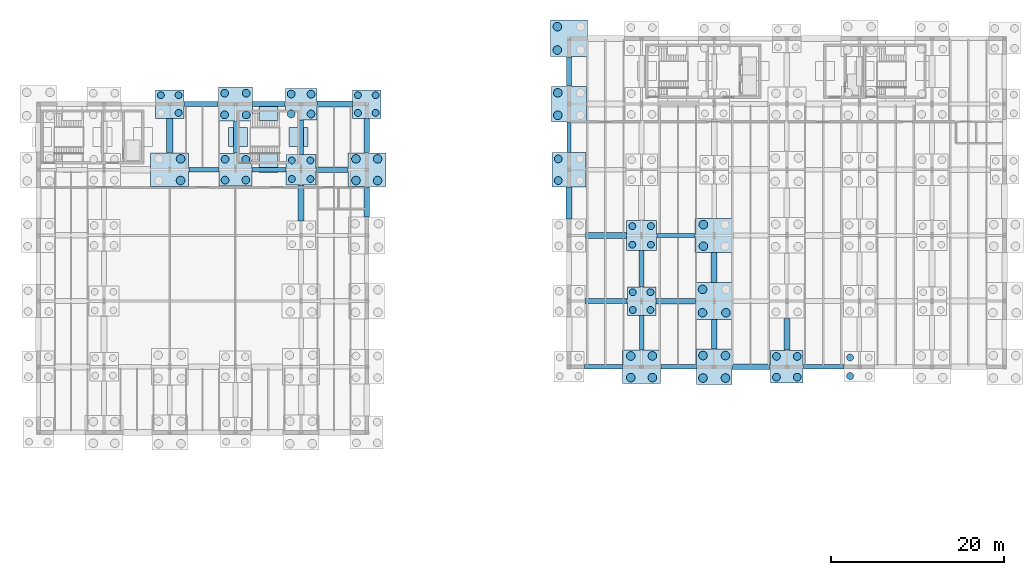
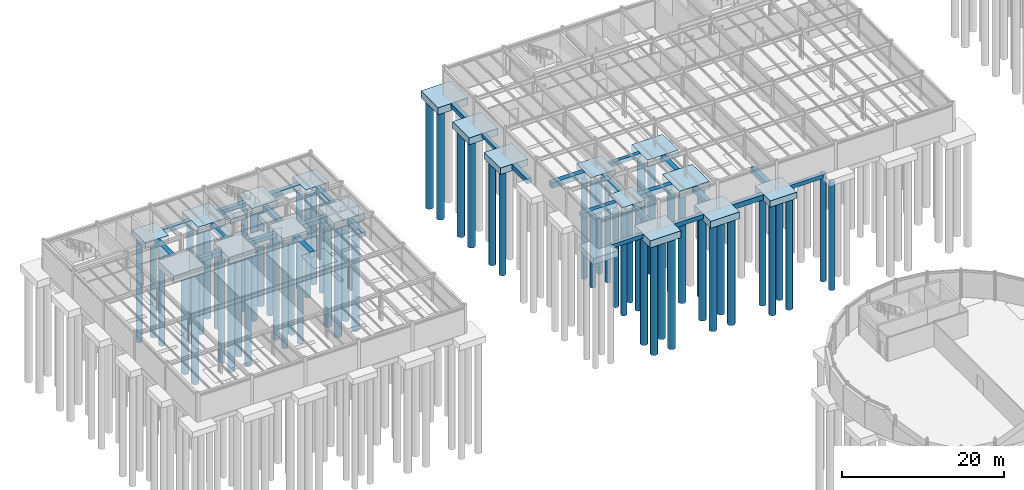
# One storey, part 3 of 33: 62 piles, 50 footings.
"""IFC4 building model written with IfcOpenShell, lengths in metres."""

import ifcopenshell
import ifcopenshell.guid

model = None  # the IFC model being written
_history = None  # IfcOwnerHistory: only IFC2X3 demands one
_inside = {}  # id of a spatial element -> (the spatial element, [elements in it])
_under = {}  # id of a project, library or spatial element -> (it, [spatial elements below it])
_declared = {}  # id of a project -> (the project, [libraries it declares])
_typed = {}  # id of a type object -> (the type object, [elements of that type])
_made_of = {}  # id of a material, layer set ... -> (it, [elements and type objects made of it])


def new_model(schema):
    """Start an empty IFC model of exactly this schema.

    Asked for "IFC4X3", IfcOpenShell would pick the latest addendum, in which some entities
    have other attributes; the version numbers below select the first issue.
    IFC2X3 requires an IfcOwnerHistory on every rooted entity: one is made here for all.
    """
    global model, _history
    if schema == "IFC4X3":
        model = ifcopenshell.file(schema_version=(4, 3, 0, 0))
    else:
        model = ifcopenshell.file(schema=schema)
    _inside.clear()
    _under.clear()
    _declared.clear()
    _typed.clear()
    _made_of.clear()
    _history = None
    if model.schema == "IFC2X3":
        org = make("IfcOrganization", Name="unknown")
        user = make(
            "IfcPersonAndOrganization",
            ThePerson=make("IfcPerson", FamilyName="unknown"),
            TheOrganization=org,
        )
        app = make(
            "IfcApplication",
            ApplicationDeveloper=org,
            Version="unknown",
            ApplicationFullName="unknown",
            ApplicationIdentifier="unknown",
        )
        _history = make(
            "IfcOwnerHistory",
            OwningUser=user,
            OwningApplication=app,
            ChangeAction="ADDED",
            CreationDate=0,
        )
    return model


def make(cls, **values):
    """One entity of the class cls with the attributes given. An attribute that is None is left unset."""
    return model.create_entity(
        cls, **{name: value for name, value in values.items() if value is not None}
    )


def rooted(cls, **values):
    """An entity with a GlobalId (a new one), such as an element, a storey or a relation."""
    return make(cls, GlobalId=ifcopenshell.guid.new(), OwnerHistory=_history, **values)


def si_unit(unit_type, name, prefix=None):
    """IfcSIUnit, for example si_unit("LENGTHUNIT", "METRE", prefix="MILLI")."""
    return make("IfcSIUnit", UnitType=unit_type, Prefix=prefix, Name=name)


def assignment(units):
    """IfcUnitAssignment: the units of a project."""
    return None if units is None else make("IfcUnitAssignment", Units=units)


def point(xyz):
    """IfcCartesianPoint."""
    return None if xyz is None else make("IfcCartesianPoint", Coordinates=xyz)


def direction(xyz):
    """IfcDirection."""
    return None if xyz is None else make("IfcDirection", DirectionRatios=xyz)


def frame(location, z_axis=None, x_axis=None):
    """IfcAxis2Placement3D, a coordinate frame: its origin and axes. An axis left out is left unset."""
    return make(
        "IfcAxis2Placement3D",
        Location=point(location),
        Axis=direction(z_axis),
        RefDirection=direction(x_axis),
    )


def frame_2d(location, x_axis=None):
    """IfcAxis2Placement2D, a coordinate frame in the plane: its origin and x axis."""
    return make(
        "IfcAxis2Placement2D", Location=point(location), RefDirection=direction(x_axis)
    )


def origin():
    """The frame at (0, 0, 0) with its axes left unset."""
    return frame((0.0, 0.0, 0.0))


def origin_2d():
    """The frame at (0, 0) in the plane with its x axis left unset."""
    return frame_2d((0.0, 0.0))


def place(relative_to, where):
    """IfcLocalPlacement: puts the frame where relative to a parent placement (None: the world)."""
    return make(
        "IfcLocalPlacement", PlacementRelTo=relative_to, RelativePlacement=where
    )


def context(
    kind, dimensions, precision=None, world=None, true_north=None, identifier=None
):
    """IfcGeometricRepresentationContext, for example the 3D "Model" context."""
    return make(
        "IfcGeometricRepresentationContext",
        ContextIdentifier=identifier,
        ContextType=kind,
        CoordinateSpaceDimension=dimensions,
        Precision=precision,
        WorldCoordinateSystem=world,
        TrueNorth=true_north,
    )


def subcontext(parent, identifier, kind, view, scale=None):
    """IfcGeometricRepresentationSubContext, for example "Body" below "Model"."""
    return make(
        "IfcGeometricRepresentationSubContext",
        ContextIdentifier=identifier,
        ContextType=kind,
        ParentContext=parent,
        TargetScale=scale,
        TargetView=view,
    )


def project(units=None, contexts=None):
    """IfcProject with its units and contexts."""
    return rooted(
        "IfcProject",
        Name="project",
        RepresentationContexts=contexts,
        UnitsInContext=assignment(units),
    )


def spatial(cls, under=None, at=None, **own):
    """A site, building, storey or space (cls), placed at a placement, below another one or the project."""
    s = rooted(cls, ObjectPlacement=at, **own)
    if under is not None:
        _under.setdefault(under.id(), (under, []))[1].append(s)
    return s


def profile(cls, at=None, kind="AREA", **sizes):
    """A parametric profile (cls). Its sizes go by their IFC names, for example OverallWidth=200.0."""
    return make(cls, ProfileType=kind, Position=at, **sizes)


def rectangle(**sizes):
    """IfcRectangleProfileDef."""
    return profile("IfcRectangleProfileDef", **sizes)


def circle(**sizes):
    """IfcCircleProfileDef."""
    return profile("IfcCircleProfileDef", **sizes)


def extrude(swept, where, along, depth):
    """IfcExtrudedAreaSolid: the profile swept, set in the frame where, extruded along a direction by depth."""
    return make(
        "IfcExtrudedAreaSolid",
        SweptArea=swept,
        Position=where,
        ExtrudedDirection=direction(along),
        Depth=depth,
    )


def shape(context_of_items, identifier, shape_type, items):
    """IfcShapeRepresentation: the items that make up one representation, for example the "Body"."""
    return make(
        "IfcShapeRepresentation",
        ContextOfItems=context_of_items,
        RepresentationIdentifier=identifier,
        RepresentationType=shape_type,
        Items=items,
    )


def material(Name=None, Category=None):
    """IfcMaterial."""
    return make("IfcMaterial", Name=Name, Category=Category)


def material_profile(
    of_material, cross_section, Name=None, Category=None, Priority=None
):
    """IfcMaterialProfile: a cross section and its material."""
    return make(
        "IfcMaterialProfile",
        Name=Name,
        Material=of_material,
        Profile=cross_section,
        Priority=Priority,
        Category=Category,
    )


def profile_set(profiles, Name=None, composite=None):
    """IfcMaterialProfileSet."""
    return make(
        "IfcMaterialProfileSet",
        Name=Name,
        MaterialProfiles=profiles,
        CompositeProfile=composite,
    )


def made_of(thing, what):
    """Note that an element or type object is made of a material, layer set ...; save() writes the relation."""
    if what is not None:
        _made_of.setdefault(what.id(), (what, []))[1].append(thing)
    return thing


def type_object(cls, material=None, **own):
    """A type object (cls), such as IfcWallType, which elements share."""
    return made_of(rooted(cls, **own), material)


def element(
    cls,
    number,
    at=None,
    inside=None,
    cuts=None,
    type_object=None,
    material=None,
    context=None,
    identifier="Body",
    shape_type=None,
    held_by="IfcProductDefinitionShape",
    body=None,
    shapes=None,
    **own,
):
    """One element of the class cls, such as IfcWall. Its Tag is "e" and its number.

    at: its placement. inside: the storey or other place that contains it. cuts: it is an
    opening in that element (IfcRelVoidsElement). A single representation is given by context,
    identifier, shape_type and body (its items); several are given by shapes. held_by: the class
    of the entity that holds the representations. save() writes the other relations.
    """
    e = rooted(cls, Tag="e%d" % number, ObjectPlacement=at, **own)
    if body is not None:
        shapes = [shape(context, identifier, shape_type, body)]
    if shapes is not None:
        e.Representation = make(held_by, Representations=shapes)
    if inside is not None:
        _inside.setdefault(inside.id(), (inside, []))[1].append(e)
    if cuts is not None:
        rooted(
            "IfcRelVoidsElement", RelatingBuildingElement=cuts, RelatedOpeningElement=e
        )
    if type_object is not None:
        _typed.setdefault(type_object.id(), (type_object, []))[1].append(e)
    return made_of(e, material)


def aggregate(whole, parts):
    """IfcRelAggregates: a whole, such as a stair, and the parts it consists of."""
    return rooted("IfcRelAggregates", RelatingObject=whole, RelatedObjects=parts)


def save(model, path):
    """Write the relations noted so far, then the file.

    IfcRelAggregates (storeys below a building ...), IfcRelContainedInSpatialStructure (elements
    in a storey), IfcRelDefinesByType, IfcRelAssociatesMaterial and IfcRelDeclares: one each for
    every whole, place, type object, material and project.
    """
    for whole, parts in _under.values():
        aggregate(whole, parts)
    for where, things in _inside.values():
        rooted(
            "IfcRelContainedInSpatialStructure",
            RelatedElements=things,
            RelatingStructure=where,
        )
    for kind, things in _typed.values():
        rooted("IfcRelDefinesByType", RelatedObjects=things, RelatingType=kind)
    for what, things in _made_of.values():
        rooted("IfcRelAssociatesMaterial", RelatedObjects=things, RelatingMaterial=what)
    for by, libraries in _declared.values():
        rooted("IfcRelDeclares", RelatingContext=by, RelatedDefinitions=libraries)
    model.write(path)


model = new_model("IFC4")

# Units and contexts
model_context = context("Model", 3, precision=1e-05, world=origin(), true_north=direction((0.0, 1.0)))
body_context = subcontext(model_context, "Body", "Model", "MODEL_VIEW")
ifc_project = project(units=[si_unit("LENGTHUNIT", "METRE"), si_unit("AREAUNIT", "SQUARE_METRE"), si_unit("VOLUMEUNIT", "CUBIC_METRE"), si_unit("PLANEANGLEUNIT", "RADIAN"), si_unit("MASSUNIT", "GRAM", prefix="KILO")], contexts=[model_context])

# Site, building, storey
site_placement = place(None, origin())
site = spatial("IfcSite", under=ifc_project, at=site_placement, CompositionType="ELEMENT")
building_placement = place(site_placement, origin())
building = spatial("IfcBuilding", under=site, at=building_placement, Name="Montecoro Central Library", CompositionType="ELEMENT")
storey_placement = place(building_placement, frame((0.0, 0.0, -4.419921875)))
storey = spatial("IfcBuildingStorey", under=building, at=storey_placement, Name="B1", CompositionType="ELEMENT", Elevation=-4.419921875)

# Footings
ifc_material = material(Name="Concrete C35/45", Category="concrete")
footing_type_1 = type_object("IfcFootingType", Name="FT-PAD-220", PredefinedType="PAD_FOOTING", material=ifc_material)
for number, where, z_axis, x_axis, name in (
    (1, (31.60009765625, 104.60009765625, -1.150146484375), (0.0, 0.0, 1.0), (1.0, 0.0, 0.0), "FT-WALL-C9-WS"),
    (2, (31.60009765625, 110.60009765625, -1.150146484375), (0.0, 0.0, 1.0), (1.0, 0.0, 0.0), "FT-WALL-C9-WN"),
    (3, (28.10009765625, 107.60009765625, -1.150146484375), (0.0, 0.0, 1.0), (1.0, 0.0, 0.0), "FT-WALL-C9-WW"),
    (4, (35.10009765625, 107.60009765625, -1.150146484375), (0.0, 0.0, 1.0), (1.0, 0.0, 0.0), "FT-WALL-C9-WE"),
):
    element("IfcFooting", number, at=place(storey_placement, frame(where, z_axis=z_axis, x_axis=x_axis)), inside=storey, type_object=footing_type_1, Name=name, PredefinedType="PAD_FOOTING", context=body_context, shape_type="SweptSolid", body=[
        extrude(rectangle(XDim=2.199951171875, YDim=2.199951171875, at=origin_2d()), origin(), (0.0, 0.0, 1.0), 0.64990234375),
    ])
footing_type_2 = type_object("IfcFootingType", Name="FT-PC-330", PredefinedType="PILE_CAP", material=ifc_material)
for number, where, z_axis, x_axis, name in (
    (5, (74.800048828125, 88.60009765625, -0.85009765625), (0.0, 0.0, 1.0), (1.0, 0.0, 0.0), "V2-CAP-10-M"),
    (6, (20.199951171875, 111.39990234375, -0.85009765625), (0.0, 0.0, 1.0), (1.0, 0.0, 0.0), "V4-CAP-3-Q"),
    (7, (43.0, 111.39990234375, -0.85009765625), (0.0, 0.0, 1.0), (1.0, 0.0, 0.0), "V4-CAP-6-Q"),
):
    element("IfcFooting", number, at=place(storey_placement, frame(where, z_axis=z_axis, x_axis=x_axis)), inside=storey, type_object=footing_type_2, Name=name, PredefinedType="PILE_CAP", context=body_context, shape_type="SweptSolid", body=[
        extrude(rectangle(XDim=3.300048828125, YDim=3.300048828125, at=origin_2d()), origin(), (0.0, 0.0, 1.0), 0.85009765625),
    ])
footing_type_3 = type_object("IfcFootingType", Name="FT-PC-350", PredefinedType="PILE_CAP", material=ifc_material)
for number, where, z_axis, x_axis, name in (
    (8, (74.800048828125, 96.199951171875, -0.880126953125), (0.0, 0.0, 1.0), (1.0, 0.0, 0.0), "V2-CAP-10-N"),
    (9, (35.39990234375, 103.800048828125, -0.880126953125), (0.0, 0.0, 1.0), (1.0, 0.0, 0.0), "V4-CAP-5-P"),
):
    element("IfcFooting", number, at=place(storey_placement, frame(where, z_axis=z_axis, x_axis=x_axis)), inside=storey, type_object=footing_type_3, Name=name, PredefinedType="PILE_CAP", context=body_context, shape_type="SweptSolid", body=[
        extrude(rectangle(XDim=3.5, YDim=3.5, at=origin_2d()), origin(), (0.0, 0.0, 1.0), 0.8798828125),
    ])
footing_type_4 = type_object("IfcFootingType", Name="FT-PC-365", PredefinedType="PILE_CAP", material=ifc_material)
footing_1_placement = place(storey_placement, frame((35.39990234375, 111.39990234375, -0.900146484375), z_axis=(0.0, 0.0, 1.0), x_axis=(1.0, 0.0, 0.0)))
element("IfcFooting", 10, at=footing_1_placement, inside=storey, type_object=footing_type_4, Name="V4-CAP-5-Q", PredefinedType="PILE_CAP", context=body_context, shape_type="SweptSolid", body=[
    extrude(rectangle(XDim=3.64990234375, YDim=3.64990234375, at=origin_2d()), origin(), (0.0, 0.0, 1.0), 0.89990234375),
])
footing_type_5 = type_object("IfcFootingType", Name="FT-PC-380", PredefinedType="PILE_CAP", material=ifc_material)
for number, where, z_axis, x_axis, name in (
    (11, (91.60009765625, 81.0, -0.9501953125), (0.0, 0.0, 1.0), (1.0, 0.0, 0.0), "V2-CAP-12-L"),
    (12, (27.800048828125, 103.800048828125, -0.9501953125), (0.0, 0.0, 1.0), (1.0, 0.0, 0.0), "V4-CAP-4-P"),
):
    element("IfcFooting", number, at=place(storey_placement, frame(where, z_axis=z_axis, x_axis=x_axis)), inside=storey, type_object=footing_type_5, Name=name, PredefinedType="PILE_CAP", context=body_context, shape_type="SweptSolid", body=[
        extrude(rectangle(XDim=3.800048828125, YDim=3.800048828125, at=origin_2d()), origin(), (0.0, 0.0, 1.0), 0.949951171875),
    ])
footing_type_6 = type_object("IfcFootingType", Name="FT-PC-395", PredefinedType="PILE_CAP", material=ifc_material)
for number, where, z_axis, x_axis, name in (
    (13, (66.39990234375, 103.800048828125, -0.97998046875), (0.0, 0.0, 1.0), (1.0, 0.0, 0.0), "V2-CAP-9-P"),
    (14, (27.800048828125, 111.39990234375, -0.97998046875), (0.0, 0.0, 1.0), (1.0, 0.0, 0.0), "V4-CAP-4-Q"),
):
    element("IfcFooting", number, at=place(storey_placement, frame(where, z_axis=z_axis, x_axis=x_axis)), inside=storey, type_object=footing_type_6, Name=name, PredefinedType="PILE_CAP", context=body_context, shape_type="SweptSolid", body=[
        extrude(rectangle(XDim=3.949951171875, YDim=3.949951171875, at=origin_2d()), origin(), (0.0, 0.0, 1.0), 0.97998046875),
    ])
footing_type_7 = type_object("IfcFootingType", Name="FT-PC-410", PredefinedType="PILE_CAP", material=ifc_material)
for number, where, z_axis, x_axis, name in (
    (15, (66.39990234375, 111.39990234375, -1.02001953125), (0.0, 0.0, 1.0), (1.0, 0.0, 0.0), "V2-CAP-9-Q"),
    (16, (83.199951171875, 81.0, -1.02001953125), (0.0, 0.0, 1.0), (1.0, 0.0, 0.0), "V2-CAP-11-L"),
):
    element("IfcFooting", number, at=place(storey_placement, frame(where, z_axis=z_axis, x_axis=x_axis)), inside=storey, type_object=footing_type_7, Name=name, PredefinedType="PILE_CAP", context=body_context, shape_type="SweptSolid", body=[
        extrude(rectangle(XDim=4.10009765625, YDim=4.10009765625, at=origin_2d()), origin(), (0.0, 0.0, 1.0), 1.02001953125),
    ])
footing_type_8 = type_object("IfcFootingType", Name="FT-PC-425", PredefinedType="PILE_CAP", material=ifc_material)
for number, where, z_axis, x_axis, name in (
    (17, (66.39990234375, 119.0, -1.06005859375), (0.0, 0.0, 1.0), (1.0, 0.0, 0.0), "V2-CAP-9-R"),
    (18, (83.199951171875, 88.60009765625, -1.06005859375), (0.0, 0.0, 1.0), (1.0, 0.0, 0.0), "V2-CAP-11-M"),
):
    element("IfcFooting", number, at=place(storey_placement, frame(where, z_axis=z_axis, x_axis=x_axis)), inside=storey, type_object=footing_type_8, Name=name, PredefinedType="PILE_CAP", context=body_context, shape_type="SweptSolid", body=[
        extrude(rectangle(XDim=4.25, YDim=4.25, at=origin_2d()), origin(), (0.0, 0.0, 1.0), 1.06005859375),
    ])
footing_type_9 = type_object("IfcFootingType", Name="FT-PC-440", PredefinedType="PILE_CAP", material=ifc_material)
for number, where, z_axis, x_axis, name in (
    (19, (74.800048828125, 81.0, -1.05029296875), (0.0, 0.0, 1.0), (1.0, 0.0, 0.0), "V2-CAP-10-L"),
    (20, (83.199951171875, 96.199951171875, -1.05029296875), (0.0, 0.0, 1.0), (1.0, 0.0, 0.0), "V2-CAP-11-N"),
    (21, (20.199951171875, 103.800048828125, -1.05029296875), (0.0, 0.0, 1.0), (1.0, 0.0, 0.0), "V4-CAP-3-P"),
    (22, (43.0, 103.800048828125, -1.05029296875), (0.0, 0.0, 1.0), (1.0, 0.0, 0.0), "V4-CAP-6-P"),
):
    element("IfcFooting", number, at=place(storey_placement, frame(where, z_axis=z_axis, x_axis=x_axis)), inside=storey, type_object=footing_type_9, Name=name, PredefinedType="PILE_CAP", context=body_context, shape_type="SweptSolid", body=[
        extrude(rectangle(XDim=4.39990234375, YDim=3.89990234375, at=origin_2d()), origin(), (0.0, 0.0, 1.0), 1.050048828125),
    ])
footing_type_10 = type_object("IfcFootingType", Name="FT-TB-01", PredefinedType="FOOTING_BEAM", material=ifc_material)
footing_2_placement = place(storey_placement, frame((24.14990234375, 103.800048828125, -0.60009765625), z_axis=(0.0, 0.0, 1.0), x_axis=(1.0, 0.0, 0.0)))
element("IfcFooting", 23, at=footing_2_placement, inside=storey, type_object=footing_type_10, Name="FT-TBX-025", PredefinedType="FOOTING_BEAM", context=body_context, shape_type="SweptSolid", body=[
    extrude(rectangle(XDim=3.4599609375, YDim=0.5, at=origin_2d()), origin(), (0.0, 0.0, 1.0), 0.60009765625),
])
footing_3_placement = place(storey_placement, frame((27.800048828125, 107.56201171875, -0.60009765625), z_axis=(0.0, 0.0, 1.0), x_axis=(1.0, 0.0, 0.0)))
element("IfcFooting", 24, at=footing_3_placement, inside=storey, type_object=footing_type_10, Name="FT-TBY-030", PredefinedType="FOOTING_BEAM", context=body_context, shape_type="SweptSolid", body=[
    extrude(rectangle(XDim=0.5, YDim=3.68505859375, at=origin_2d()), origin(), (0.0, 0.0, 1.0), 0.60009765625),
])
footing_4_placement = place(storey_placement, frame((70.375, 81.0, -0.60009765625), z_axis=(0.0, 0.0, 1.0), x_axis=(1.0, 0.0, 0.0)))
element("IfcFooting", 25, at=footing_4_placement, inside=storey, type_object=footing_type_10, Name="FT-TBX-050", PredefinedType="FOOTING_BEAM", context=body_context, shape_type="SweptSolid", body=[
    extrude(rectangle(XDim=4.409912109375, YDim=0.5, at=origin_2d()), origin(), (0.0, 0.0, 1.0), 0.60009765625),
])
footing_5_placement = place(storey_placement, frame((66.39990234375, 107.56201171875, -0.60009765625), z_axis=(0.0, 0.0, 1.0), x_axis=(1.0, 0.0, 0.0)))
element("IfcFooting", 26, at=footing_5_placement, inside=storey, type_object=footing_type_10, Name="FT-TBY-055", PredefinedType="FOOTING_BEAM", context=body_context, shape_type="SweptSolid", body=[
    extrude(rectangle(XDim=0.5, YDim=3.534912109375, at=origin_2d()), origin(), (0.0, 0.0, 1.0), 0.60009765625),
])
footing_6_placement = place(storey_placement, frame((74.800048828125, 84.949951171875, -0.60009765625), z_axis=(0.0, 0.0, 1.0), x_axis=(1.0, 0.0, 0.0)))
element("IfcFooting", 27, at=footing_6_placement, inside=storey, type_object=footing_type_10, Name="FT-TBY-060", PredefinedType="FOOTING_BEAM", context=body_context, shape_type="SweptSolid", body=[
    extrude(rectangle(XDim=0.5, YDim=3.9599609375, at=origin_2d()), origin(), (0.0, 0.0, 1.0), 0.60009765625),
])
footing_7_placement = place(storey_placement, frame((78.77490234375, 96.199951171875, -0.60009765625), z_axis=(0.0, 0.0, 1.0), x_axis=(1.0, 0.0, 0.0)))
element("IfcFooting", 28, at=footing_7_placement, inside=storey, type_object=footing_type_10, Name="FT-TBX-065", PredefinedType="FOOTING_BEAM", context=body_context, shape_type="SweptSolid", body=[
    extrude(rectangle(XDim=4.409912109375, YDim=0.5, at=origin_2d()), origin(), (0.0, 0.0, 1.0), 0.60009765625),
])
footing_8_placement = place(storey_placement, frame((95.875, 81.0, -0.60009765625), z_axis=(0.0, 0.0, 1.0), x_axis=(1.0, 0.0, 0.0)))
element("IfcFooting", 29, at=footing_8_placement, inside=storey, type_object=footing_type_10, Name="FT-TBX-085", PredefinedType="FOOTING_BEAM", context=body_context, shape_type="SweptSolid", body=[
    extrude(rectangle(XDim=4.7099609375, YDim=0.5, at=origin_2d()), origin(), (0.0, 0.0, 1.0), 0.60009765625),
])
footing_type_11 = type_object("IfcFootingType", Name="FT-TB-02", PredefinedType="FOOTING_BEAM", material=ifc_material)
footing_9_placement = place(storey_placement, frame((23.8369140625, 111.39990234375, -0.650146484375), z_axis=(0.0, 0.0, 1.0), x_axis=(1.0, 0.0, 0.0)))
element("IfcFooting", 30, at=footing_9_placement, inside=storey, type_object=footing_type_11, Name="FT-TBX-026", PredefinedType="FOOTING_BEAM", context=body_context, shape_type="SweptSolid", body=[
    extrude(rectangle(XDim=3.93505859375, YDim=0.550048828125, at=origin_2d()), origin(), (0.0, 0.0, 1.0), 0.64990234375),
])
footing_10_placement = place(storey_placement, frame((31.675048828125, 103.800048828125, -0.650146484375), z_axis=(0.0, 0.0, 1.0), x_axis=(1.0, 0.0, 0.0)))
element("IfcFooting", 31, at=footing_10_placement, inside=storey, type_object=footing_type_11, Name="FT-TBX-031", PredefinedType="FOOTING_BEAM", context=body_context, shape_type="SweptSolid", body=[
    extrude(rectangle(XDim=3.909912109375, YDim=0.550048828125, at=origin_2d()), origin(), (0.0, 0.0, 1.0), 0.64990234375),
])
footing_11_placement = place(storey_placement, frame((35.39990234375, 107.56201171875, -0.650146484375), z_axis=(0.0, 0.0, 1.0), x_axis=(1.0, 0.0, 0.0)))
element("IfcFooting", 32, at=footing_11_placement, inside=storey, type_object=footing_type_11, Name="FT-TBY-041", PredefinedType="FOOTING_BEAM", context=body_context, shape_type="SweptSolid", body=[
    extrude(rectangle(XDim=0.550048828125, YDim=3.985107421875, at=origin_2d()), origin(), (0.0, 0.0, 1.0), 0.64990234375),
])
footing_12_placement = place(storey_placement, frame((79.074951171875, 81.0, -0.650146484375), z_axis=(0.0, 0.0, 1.0), x_axis=(1.0, 0.0, 0.0)))
element("IfcFooting", 33, at=footing_12_placement, inside=storey, type_object=footing_type_11, Name="FT-TBX-061", PredefinedType="FOOTING_BEAM", context=body_context, shape_type="SweptSolid", body=[
    extrude(rectangle(XDim=4.110107421875, YDim=0.550048828125, at=origin_2d()), origin(), (0.0, 0.0, 1.0), 0.64990234375),
])
footing_type_12 = type_object("IfcFootingType", Name="FT-TB-03", PredefinedType="FOOTING_BEAM", material=ifc_material)
footing_13_placement = place(storey_placement, frame((31.675048828125, 111.39990234375, -0.7001953125), z_axis=(0.0, 0.0, 1.0), x_axis=(1.0, 0.0, 0.0)))
element("IfcFooting", 34, at=footing_13_placement, inside=storey, type_object=footing_type_12, Name="FT-TBX-032", PredefinedType="FOOTING_BEAM", context=body_context, shape_type="SweptSolid", body=[
    extrude(rectangle(XDim=3.760009765625, YDim=0.60009765625, at=origin_2d()), origin(), (0.0, 0.0, 1.0), 0.699951171875),
])
footing_14_placement = place(storey_placement, frame((38.97509765625, 103.800048828125, -0.7001953125), z_axis=(0.0, 0.0, 1.0), x_axis=(1.0, 0.0, 0.0)))
element("IfcFooting", 35, at=footing_14_placement, inside=storey, type_object=footing_type_12, Name="FT-TBX-042", PredefinedType="FOOTING_BEAM", context=body_context, shape_type="SweptSolid", body=[
    extrude(rectangle(XDim=3.610107421875, YDim=0.60009765625, at=origin_2d()), origin(), (0.0, 0.0, 1.0), 0.699951171875),
])
footing_15_placement = place(storey_placement, frame((43.0, 100.087890625, -0.7001953125), z_axis=(0.0, 0.0, 1.0), x_axis=(1.0, 0.0, 0.0)))
element("IfcFooting", 36, at=footing_15_placement, inside=storey, type_object=footing_type_12, Name="FT-TBY-047", PredefinedType="FOOTING_BEAM", context=body_context, shape_type="SweptSolid", body=[
    extrude(rectangle(XDim=0.60009765625, YDim=3.485107421875, at=origin_2d()), origin(), (0.0, 0.0, 1.0), 0.699951171875),
])
footing_16_placement = place(storey_placement, frame((70.68798828125, 88.60009765625, -0.7001953125), z_axis=(0.0, 0.0, 1.0), x_axis=(1.0, 0.0, 0.0)))
element("IfcFooting", 37, at=footing_16_placement, inside=storey, type_object=footing_type_12, Name="FT-TBX-052", PredefinedType="FOOTING_BEAM", context=body_context, shape_type="SweptSolid", body=[
    extrude(rectangle(XDim=4.885009765625, YDim=0.60009765625, at=origin_2d()), origin(), (0.0, 0.0, 1.0), 0.699951171875),
])
footing_17_placement = place(storey_placement, frame((66.39990234375, 115.162109375, -0.7001953125), z_axis=(0.0, 0.0, 1.0), x_axis=(1.0, 0.0, 0.0)))
element("IfcFooting", 38, at=footing_17_placement, inside=storey, type_object=footing_type_12, Name="FT-TBY-057", PredefinedType="FOOTING_BEAM", context=body_context, shape_type="SweptSolid", body=[
    extrude(rectangle(XDim=0.60009765625, YDim=3.385009765625, at=origin_2d()), origin(), (0.0, 0.0, 1.0), 0.699951171875),
])
footing_18_placement = place(storey_placement, frame((74.800048828125, 92.35009765625, -0.7001953125), z_axis=(0.0, 0.0, 1.0), x_axis=(1.0, 0.0, 0.0)))
element("IfcFooting", 39, at=footing_18_placement, inside=storey, type_object=footing_type_12, Name="FT-TBY-062", PredefinedType="FOOTING_BEAM", context=body_context, shape_type="SweptSolid", body=[
    extrude(rectangle(XDim=0.60009765625, YDim=4.159912109375, at=origin_2d()), origin(), (0.0, 0.0, 1.0), 0.699951171875),
])
footing_19_placement = place(storey_placement, frame((83.199951171875, 84.761962890625, -0.7001953125), z_axis=(0.0, 0.0, 1.0), x_axis=(1.0, 0.0, 0.0)))
element("IfcFooting", 40, at=footing_19_placement, inside=storey, type_object=footing_type_12, Name="FT-TBY-072", PredefinedType="FOOTING_BEAM", context=body_context, shape_type="SweptSolid", body=[
    extrude(rectangle(XDim=0.60009765625, YDim=3.385009765625, at=origin_2d()), origin(), (0.0, 0.0, 1.0), 0.699951171875),
])
footing_type_13 = type_object("IfcFootingType", Name="FT-TB-04", PredefinedType="FOOTING_BEAM", material=ifc_material)
footing_20_placement = place(storey_placement, frame((39.287109375, 111.39990234375, -0.75), z_axis=(0.0, 0.0, 1.0), x_axis=(1.0, 0.0, 0.0)))
element("IfcFooting", 41, at=footing_20_placement, inside=storey, type_object=footing_type_13, Name="FT-TBX-043", PredefinedType="FOOTING_BEAM", context=body_context, shape_type="SweptSolid", body=[
    extrude(rectangle(XDim=4.0849609375, YDim=0.64990234375, at=origin_2d()), origin(), (0.0, 0.0, 1.0), 0.75),
])
footing_21_placement = place(storey_placement, frame((43.0, 107.75, -0.75), z_axis=(0.0, 0.0, 1.0), x_axis=(1.0, 0.0, 0.0)))
element("IfcFooting", 42, at=footing_21_placement, inside=storey, type_object=footing_type_13, Name="FT-TBY-048", PredefinedType="FOOTING_BEAM", context=body_context, shape_type="SweptSolid", body=[
    extrude(rectangle(XDim=0.64990234375, YDim=3.9599609375, at=origin_2d()), origin(), (0.0, 0.0, 1.0), 0.75),
])
footing_22_placement = place(storey_placement, frame((66.39990234375, 99.962890625, -0.75), z_axis=(0.0, 0.0, 1.0), x_axis=(1.0, 0.0, 0.0)))
element("IfcFooting", 43, at=footing_22_placement, inside=storey, type_object=footing_type_13, Name="FT-TBY-053", PredefinedType="FOOTING_BEAM", context=body_context, shape_type="SweptSolid", body=[
    extrude(rectangle(XDim=0.64990234375, YDim=3.68505859375, at=origin_2d()), origin(), (0.0, 0.0, 1.0), 0.75),
])
footing_23_placement = place(storey_placement, frame((78.762939453125, 88.60009765625, -0.75), z_axis=(0.0, 0.0, 1.0), x_axis=(1.0, 0.0, 0.0)))
element("IfcFooting", 44, at=footing_23_placement, inside=storey, type_object=footing_type_13, Name="FT-TBX-063", PredefinedType="FOOTING_BEAM", context=body_context, shape_type="SweptSolid", body=[
    extrude(rectangle(XDim=4.5849609375, YDim=0.64990234375, at=origin_2d()), origin(), (0.0, 0.0, 1.0), 0.75),
])
footing_24_placement = place(storey_placement, frame((87.47509765625, 81.0, -0.75), z_axis=(0.0, 0.0, 1.0), x_axis=(1.0, 0.0, 0.0)))
element("IfcFooting", 45, at=footing_24_placement, inside=storey, type_object=footing_type_13, Name="FT-TBX-073", PredefinedType="FOOTING_BEAM", context=body_context, shape_type="SweptSolid", body=[
    extrude(rectangle(XDim=4.409912109375, YDim=0.64990234375, at=origin_2d()), origin(), (0.0, 0.0, 1.0), 0.75),
])
footing_type_14 = type_object("IfcFootingType", Name="FT-TB-05", PredefinedType="FOOTING_BEAM", material=ifc_material)
footing_25_placement = place(storey_placement, frame((20.199951171875, 107.75, -0.80029296875), z_axis=(0.0, 0.0, 1.0), x_axis=(1.0, 0.0, 0.0)))
element("IfcFooting", 46, at=footing_25_placement, inside=storey, type_object=footing_type_14, Name="FT-TBY-024", PredefinedType="FOOTING_BEAM", context=body_context, shape_type="SweptSolid", body=[
    extrude(rectangle(XDim=0.699951171875, YDim=3.9599609375, at=origin_2d()), origin(), (0.0, 0.0, 1.0), 0.800048828125),
])
footing_26_placement = place(storey_placement, frame((35.39990234375, 99.949951171875, -0.80029296875), z_axis=(0.0, 0.0, 1.0), x_axis=(1.0, 0.0, 0.0)))
element("IfcFooting", 47, at=footing_26_placement, inside=storey, type_object=footing_type_14, Name="FT-TBY-039", PredefinedType="FOOTING_BEAM", context=body_context, shape_type="SweptSolid", body=[
    extrude(rectangle(XDim=0.699951171875, YDim=4.159912109375, at=origin_2d()), origin(), (0.0, 0.0, 1.0), 0.800048828125),
])
footing_27_placement = place(storey_placement, frame((70.675048828125, 96.199951171875, -0.80029296875), z_axis=(0.0, 0.0, 1.0), x_axis=(1.0, 0.0, 0.0)))
element("IfcFooting", 48, at=footing_27_placement, inside=storey, type_object=footing_type_14, Name="FT-TBX-054", PredefinedType="FOOTING_BEAM", context=body_context, shape_type="SweptSolid", body=[
    extrude(rectangle(XDim=4.7099609375, YDim=0.699951171875, at=origin_2d()), origin(), (0.0, 0.0, 1.0), 0.800048828125),
])
footing_28_placement = place(storey_placement, frame((83.199951171875, 92.488037109375, -0.80029296875), z_axis=(0.0, 0.0, 1.0), x_axis=(1.0, 0.0, 0.0)))
element("IfcFooting", 49, at=footing_28_placement, inside=storey, type_object=footing_type_14, Name="FT-TBY-074", PredefinedType="FOOTING_BEAM", context=body_context, shape_type="SweptSolid", body=[
    extrude(rectangle(XDim=0.699951171875, YDim=3.485107421875, at=origin_2d()), origin(), (0.0, 0.0, 1.0), 0.800048828125),
])
footing_29_placement = place(storey_placement, frame((91.60009765625, 84.762939453125, -0.80029296875), z_axis=(0.0, 0.0, 1.0), x_axis=(1.0, 0.0, 0.0)))
element("IfcFooting", 50, at=footing_29_placement, inside=storey, type_object=footing_type_14, Name="FT-TBY-084", PredefinedType="FOOTING_BEAM", context=body_context, shape_type="SweptSolid", body=[
    extrude(rectangle(XDim=0.699951171875, YDim=3.68505859375, at=origin_2d()), origin(), (0.0, 0.0, 1.0), 0.800048828125),
])

# Piles
ifc_material_profile_1 = material_profile(ifc_material, circle(Radius=0.5, at=origin_2d()), Name="PILE D1000")
ifc_profile_set_1 = profile_set([ifc_material_profile_1], Name="Concrete C35/45")
pile_type_1 = type_object("IfcPileType", Name="PL-BORED-1000", PredefinedType="BORED", material=ifc_profile_set_1)
for number, where, z_axis, x_axis, name in (
    (51, (65.10009765625, 110.10009765625, -0.920166015625), (0.0, 0.0, -1.0), (1.0, 0.0, 0.0), "V2-CAP-9-Q-P1"),
    (52, (65.10009765625, 112.699951171875, -0.920166015625), (0.0, 0.0, -1.0), (1.0, 0.0, 0.0), "V2-CAP-9-Q-P2"),
):
    element("IfcPile", number, at=place(storey_placement, frame(where, z_axis=z_axis, x_axis=x_axis)), inside=storey, type_object=pile_type_1, Name=name, PredefinedType="BORED", context=body_context, shape_type="SweptSolid", body=[
        extrude(circle(Radius=0.5, at=origin_2d()), origin(), (0.0, 0.0, 1.0), 16.010009765625),
    ])
for number, where, z_axis, x_axis, name in (
    (53, (65.050048828125, 117.64990234375, -0.9599609375), (0.0, 0.0, -1.0), (1.0, 0.0, 0.0), "V2-CAP-9-R-P1"),
    (54, (65.050048828125, 120.35009765625, -0.9599609375), (0.0, 0.0, -1.0), (1.0, 0.0, 0.0), "V2-CAP-9-R-P2"),
):
    element("IfcPile", number, at=place(storey_placement, frame(where, z_axis=z_axis, x_axis=x_axis)), inside=storey, type_object=pile_type_1, Name=name, PredefinedType="BORED", context=body_context, shape_type="SweptSolid", body=[
        extrude(circle(Radius=0.5, at=origin_2d()), origin(), (0.0, 0.0, 1.0), 16.320068359375),
    ])
for number, where, z_axis, x_axis, name in (
    (55, (73.550048828125, 79.75, -0.9501953125), (0.0, 0.0, -1.0), (1.0, 0.0, 0.0), "V2-CAP-10-L-P1"),
    (56, (73.550048828125, 82.25, -0.9501953125), (0.0, 0.0, -1.0), (1.0, 0.0, 0.0), "V2-CAP-10-L-P2"),
    (57, (76.050048828125, 79.75, -0.9501953125), (0.0, 0.0, -1.0), (1.0, 0.0, 0.0), "V2-CAP-10-L-P3"),
    (58, (76.050048828125, 82.25, -0.9501953125), (0.0, 0.0, -1.0), (1.0, 0.0, 0.0), "V2-CAP-10-L-P4"),
):
    element("IfcPile", number, at=place(storey_placement, frame(where, z_axis=z_axis, x_axis=x_axis)), inside=storey, type_object=pile_type_1, Name=name, PredefinedType="BORED", context=body_context, shape_type="SweptSolid", body=[
        extrude(circle(Radius=0.5, at=origin_2d()), origin(), (0.0, 0.0, 1.0), 16.679931640625),
    ])
for number, where, z_axis, x_axis, name in (
    (59, (81.89990234375, 79.699951171875, -0.920166015625), (0.0, 0.0, -1.0), (1.0, 0.0, 0.0), "V2-CAP-11-L-P1"),
    (60, (81.89990234375, 82.300048828125, -0.920166015625), (0.0, 0.0, -1.0), (1.0, 0.0, 0.0), "V2-CAP-11-L-P2"),
    (61, (84.5, 79.699951171875, -0.920166015625), (0.0, 0.0, -1.0), (1.0, 0.0, 0.0), "V2-CAP-11-L-P3"),
    (62, (84.5, 82.300048828125, -0.920166015625), (0.0, 0.0, -1.0), (1.0, 0.0, 0.0), "V2-CAP-11-L-P4"),
):
    element("IfcPile", number, at=place(storey_placement, frame(where, z_axis=z_axis, x_axis=x_axis)), inside=storey, type_object=pile_type_1, Name=name, PredefinedType="BORED", context=body_context, shape_type="SweptSolid", body=[
        extrude(circle(Radius=0.5, at=origin_2d()), origin(), (0.0, 0.0, 1.0), 16.010009765625),
    ])
for number, where, z_axis, x_axis, name in (
    (63, (81.85009765625, 87.25, -0.9599609375), (0.0, 0.0, -1.0), (1.0, 0.0, 0.0), "V2-CAP-11-M-P1"),
    (64, (81.85009765625, 89.949951171875, -0.9599609375), (0.0, 0.0, -1.0), (1.0, 0.0, 0.0), "V2-CAP-11-M-P2"),
    (65, (84.550048828125, 87.25, -0.9599609375), (0.0, 0.0, -1.0), (1.0, 0.0, 0.0), "V2-CAP-11-M-P3"),
):
    element("IfcPile", number, at=place(storey_placement, frame(where, z_axis=z_axis, x_axis=x_axis)), inside=storey, type_object=pile_type_1, Name=name, PredefinedType="BORED", context=body_context, shape_type="SweptSolid", body=[
        extrude(circle(Radius=0.5, at=origin_2d()), origin(), (0.0, 0.0, 1.0), 16.320068359375),
    ])
for number, where, z_axis, x_axis, name in (
    (66, (81.949951171875, 94.949951171875, -0.9501953125), (0.0, 0.0, -1.0), (1.0, 0.0, 0.0), "V2-CAP-11-N-P1"),
    (67, (81.949951171875, 97.449951171875, -0.9501953125), (0.0, 0.0, -1.0), (1.0, 0.0, 0.0), "V2-CAP-11-N-P2"),
    (68, (21.449951171875, 102.550048828125, -0.9501953125), (0.0, 0.0, -1.0), (1.0, 0.0, 0.0), "V4-CAP-3-P-P3"),
    (69, (21.449951171875, 105.050048828125, -0.9501953125), (0.0, 0.0, -1.0), (1.0, 0.0, 0.0), "V4-CAP-3-P-P4"),
    (70, (41.75, 102.550048828125, -0.9501953125), (0.0, 0.0, -1.0), (1.0, 0.0, 0.0), "V4-CAP-6-P-P1"),
    (71, (41.75, 105.050048828125, -0.9501953125), (0.0, 0.0, -1.0), (1.0, 0.0, 0.0), "V4-CAP-6-P-P2"),
    (72, (44.25, 102.550048828125, -0.9501953125), (0.0, 0.0, -1.0), (1.0, 0.0, 0.0), "V4-CAP-6-P-P3"),
    (73, (44.25, 105.050048828125, -0.9501953125), (0.0, 0.0, -1.0), (1.0, 0.0, 0.0), "V4-CAP-6-P-P4"),
):
    element("IfcPile", number, at=place(storey_placement, frame(where, z_axis=z_axis, x_axis=x_axis)), inside=storey, type_object=pile_type_1, Name=name, PredefinedType="BORED", context=body_context, shape_type="SweptSolid", body=[
        extrude(circle(Radius=0.5, at=origin_2d()), origin(), (0.0, 0.0, 1.0), 16.679931640625),
    ])
ifc_material_profile_2 = material_profile(ifc_material, circle(Radius=0.39990234375, at=origin_2d()), Name="PILE D800")
ifc_profile_set_2 = profile_set([ifc_material_profile_2], Name="Concrete C35/45")
pile_type_2 = type_object("IfcPileType", Name="PL-BORED-800", PredefinedType="BORED", material=ifc_profile_set_2)
for number, where, z_axis, x_axis, name in (
    (74, (73.77490234375, 87.574951171875, -0.75), (0.0, 0.0, -1.0), (1.0, 0.0, 0.0), "V2-CAP-10-M-P1"),
    (75, (73.77490234375, 89.625, -0.75), (0.0, 0.0, -1.0), (1.0, 0.0, 0.0), "V2-CAP-10-M-P2"),
    (76, (75.824951171875, 87.574951171875, -0.75), (0.0, 0.0, -1.0), (1.0, 0.0, 0.0), "V2-CAP-10-M-P3"),
    (77, (75.824951171875, 89.625, -0.75), (0.0, 0.0, -1.0), (1.0, 0.0, 0.0), "V2-CAP-10-M-P4"),
):
    element("IfcPile", number, at=place(storey_placement, frame(where, z_axis=z_axis, x_axis=x_axis)), inside=storey, type_object=pile_type_2, Name=name, PredefinedType="BORED", context=body_context, shape_type="SweptSolid", body=[
        extrude(circle(Radius=0.39990234375, at=origin_2d()), origin(), (0.0, 0.0, 1.0), 15.830078125),
    ])
for number, where, z_axis, x_axis, name in (
    (78, (73.72509765625, 95.125, -0.780029296875), (0.0, 0.0, -1.0), (1.0, 0.0, 0.0), "V2-CAP-10-N-P1"),
    (79, (73.72509765625, 97.27490234375, -0.780029296875), (0.0, 0.0, -1.0), (1.0, 0.0, 0.0), "V2-CAP-10-N-P2"),
    (80, (75.875, 95.125, -0.780029296875), (0.0, 0.0, -1.0), (1.0, 0.0, 0.0), "V2-CAP-10-N-P3"),
    (81, (75.875, 97.27490234375, -0.780029296875), (0.0, 0.0, -1.0), (1.0, 0.0, 0.0), "V2-CAP-10-N-P4"),
    (82, (98.925048828125, 79.925048828125, -0.780029296875), (0.0, 0.0, -1.0), (1.0, 0.0, 0.0), "V2-CAP-13-L-P1"),
    (83, (98.925048828125, 82.074951171875, -0.780029296875), (0.0, 0.0, -1.0), (1.0, 0.0, 0.0), "V2-CAP-13-L-P2"),
):
    element("IfcPile", number, at=place(storey_placement, frame(where, z_axis=z_axis, x_axis=x_axis)), inside=storey, type_object=pile_type_2, Name=name, PredefinedType="BORED", context=body_context, shape_type="SweptSolid", body=[
        extrude(circle(Radius=0.39990234375, at=origin_2d()), origin(), (0.0, 0.0, 1.0), 16.14990234375),
    ])
for number, where, z_axis, x_axis, name in (
    (84, (19.175048828125, 112.425048828125, -0.75), (0.0, 0.0, -1.0), (1.0, 0.0, 0.0), "V4-CAP-3-Q-P2"),
    (85, (21.22509765625, 110.375, -0.75), (0.0, 0.0, -1.0), (1.0, 0.0, 0.0), "V4-CAP-3-Q-P3"),
    (86, (21.22509765625, 112.425048828125, -0.75), (0.0, 0.0, -1.0), (1.0, 0.0, 0.0), "V4-CAP-3-Q-P4"),
):
    element("IfcPile", number, at=place(storey_placement, frame(where, z_axis=z_axis, x_axis=x_axis)), inside=storey, type_object=pile_type_2, Name=name, PredefinedType="BORED", context=body_context, shape_type="SweptSolid", body=[
        extrude(circle(Radius=0.39990234375, at=origin_2d()), origin(), (0.0, 0.0, 1.0), 15.830078125),
    ])
for number, where, z_axis, x_axis, name in (
    (87, (34.324951171875, 102.72509765625, -0.780029296875), (0.0, 0.0, -1.0), (1.0, 0.0, 0.0), "V4-CAP-5-P-P1"),
    (88, (34.324951171875, 104.875, -0.780029296875), (0.0, 0.0, -1.0), (1.0, 0.0, 0.0), "V4-CAP-5-P-P2"),
    (89, (36.47509765625, 102.72509765625, -0.780029296875), (0.0, 0.0, -1.0), (1.0, 0.0, 0.0), "V4-CAP-5-P-P3"),
    (90, (36.47509765625, 104.875, -0.780029296875), (0.0, 0.0, -1.0), (1.0, 0.0, 0.0), "V4-CAP-5-P-P4"),
):
    element("IfcPile", number, at=place(storey_placement, frame(where, z_axis=z_axis, x_axis=x_axis)), inside=storey, type_object=pile_type_2, Name=name, PredefinedType="BORED", context=body_context, shape_type="SweptSolid", body=[
        extrude(circle(Radius=0.39990234375, at=origin_2d()), origin(), (0.0, 0.0, 1.0), 16.14990234375),
    ])
for number, where, z_axis, x_axis, name in (
    (91, (41.97509765625, 110.375, -0.75), (0.0, 0.0, -1.0), (1.0, 0.0, 0.0), "V4-CAP-6-Q-P1"),
    (92, (41.97509765625, 112.425048828125, -0.75), (0.0, 0.0, -1.0), (1.0, 0.0, 0.0), "V4-CAP-6-Q-P2"),
    (93, (44.02490234375, 110.375, -0.75), (0.0, 0.0, -1.0), (1.0, 0.0, 0.0), "V4-CAP-6-Q-P3"),
    (94, (44.02490234375, 112.425048828125, -0.75), (0.0, 0.0, -1.0), (1.0, 0.0, 0.0), "V4-CAP-6-Q-P4"),
):
    element("IfcPile", number, at=place(storey_placement, frame(where, z_axis=z_axis, x_axis=x_axis)), inside=storey, type_object=pile_type_2, Name=name, PredefinedType="BORED", context=body_context, shape_type="SweptSolid", body=[
        extrude(circle(Radius=0.39990234375, at=origin_2d()), origin(), (0.0, 0.0, 1.0), 15.830078125),
    ])
ifc_material_profile_3 = material_profile(ifc_material, circle(Radius=0.449951171875, at=origin_2d()), Name="PILE D900")
ifc_profile_set_3 = profile_set([ifc_material_profile_3], Name="Concrete C35/45")
pile_type_3 = type_object("IfcPileType", Name="PL-BORED-900", PredefinedType="BORED", material=ifc_profile_set_3)
for number, where, z_axis, x_axis, name in (
    (95, (65.14990234375, 102.550048828125, -0.880126953125), (0.0, 0.0, -1.0), (1.0, 0.0, 0.0), "V2-CAP-9-P-P1"),
    (96, (65.14990234375, 105.050048828125, -0.880126953125), (0.0, 0.0, -1.0), (1.0, 0.0, 0.0), "V2-CAP-9-P-P2"),
):
    element("IfcPile", number, at=place(storey_placement, frame(where, z_axis=z_axis, x_axis=x_axis)), inside=storey, type_object=pile_type_3, Name=name, PredefinedType="BORED", context=body_context, shape_type="SweptSolid", body=[
        extrude(circle(Radius=0.449951171875, at=origin_2d()), origin(), (0.0, 0.0, 1.0), 15.699951171875),
    ])
for number, where, z_axis, x_axis, name in (
    (97, (90.39990234375, 79.800048828125, -0.85009765625), (0.0, 0.0, -1.0), (1.0, 0.0, 0.0), "V2-CAP-12-L-P1"),
    (98, (90.39990234375, 82.199951171875, -0.85009765625), (0.0, 0.0, -1.0), (1.0, 0.0, 0.0), "V2-CAP-12-L-P2"),
    (99, (92.800048828125, 79.800048828125, -0.85009765625), (0.0, 0.0, -1.0), (1.0, 0.0, 0.0), "V2-CAP-12-L-P3"),
    (100, (92.800048828125, 82.199951171875, -0.85009765625), (0.0, 0.0, -1.0), (1.0, 0.0, 0.0), "V2-CAP-12-L-P4"),
    (101, (26.60009765625, 102.60009765625, -0.85009765625), (0.0, 0.0, -1.0), (1.0, 0.0, 0.0), "V4-CAP-4-P-P1"),
    (102, (26.60009765625, 105.0, -0.85009765625), (0.0, 0.0, -1.0), (1.0, 0.0, 0.0), "V4-CAP-4-P-P2"),
    (103, (29.0, 102.60009765625, -0.85009765625), (0.0, 0.0, -1.0), (1.0, 0.0, 0.0), "V4-CAP-4-P-P3"),
    (104, (29.0, 105.0, -0.85009765625), (0.0, 0.0, -1.0), (1.0, 0.0, 0.0), "V4-CAP-4-P-P4"),
):
    element("IfcPile", number, at=place(storey_placement, frame(where, z_axis=z_axis, x_axis=x_axis)), inside=storey, type_object=pile_type_3, Name=name, PredefinedType="BORED", context=body_context, shape_type="SweptSolid", body=[
        extrude(circle(Radius=0.449951171875, at=origin_2d()), origin(), (0.0, 0.0, 1.0), 16.780029296875),
    ])
for number, where, z_axis, x_axis, name in (
    (105, (26.550048828125, 110.14990234375, -0.880126953125), (0.0, 0.0, -1.0), (1.0, 0.0, 0.0), "V4-CAP-4-Q-P1"),
    (106, (26.550048828125, 112.64990234375, -0.880126953125), (0.0, 0.0, -1.0), (1.0, 0.0, 0.0), "V4-CAP-4-Q-P2"),
    (107, (29.050048828125, 110.14990234375, -0.880126953125), (0.0, 0.0, -1.0), (1.0, 0.0, 0.0), "V4-CAP-4-Q-P3"),
    (108, (29.050048828125, 112.64990234375, -0.880126953125), (0.0, 0.0, -1.0), (1.0, 0.0, 0.0), "V4-CAP-4-Q-P4"),
):
    element("IfcPile", number, at=place(storey_placement, frame(where, z_axis=z_axis, x_axis=x_axis)), inside=storey, type_object=pile_type_3, Name=name, PredefinedType="BORED", context=body_context, shape_type="SweptSolid", body=[
        extrude(circle(Radius=0.449951171875, at=origin_2d()), origin(), (0.0, 0.0, 1.0), 15.699951171875),
    ])
for number, where, z_axis, x_axis, name in (
    (109, (34.25, 110.25, -0.800048828125), (0.0, 0.0, -1.0), (1.0, 0.0, 0.0), "V4-CAP-5-Q-P1"),
    (110, (34.25, 112.550048828125, -0.800048828125), (0.0, 0.0, -1.0), (1.0, 0.0, 0.0), "V4-CAP-5-Q-P2"),
    (111, (36.550048828125, 110.25, -0.800048828125), (0.0, 0.0, -1.0), (1.0, 0.0, 0.0), "V4-CAP-5-Q-P3"),
    (112, (36.550048828125, 112.550048828125, -0.800048828125), (0.0, 0.0, -1.0), (1.0, 0.0, 0.0), "V4-CAP-5-Q-P4"),
):
    element("IfcPile", number, at=place(storey_placement, frame(where, z_axis=z_axis, x_axis=x_axis)), inside=storey, type_object=pile_type_3, Name=name, PredefinedType="BORED", context=body_context, shape_type="SweptSolid", body=[
        extrude(circle(Radius=0.449951171875, at=origin_2d()), origin(), (0.0, 0.0, 1.0), 16.47998046875),
    ])

save(model, "model.ifc")
